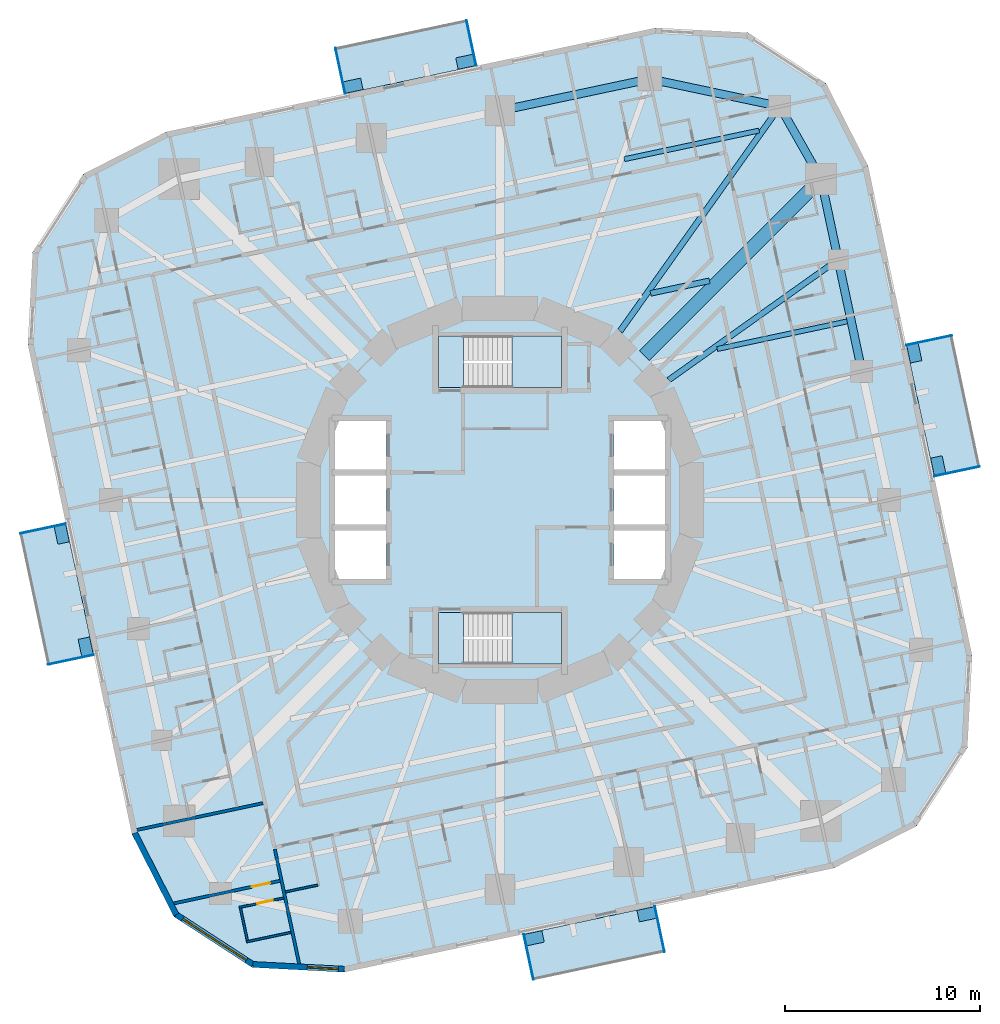
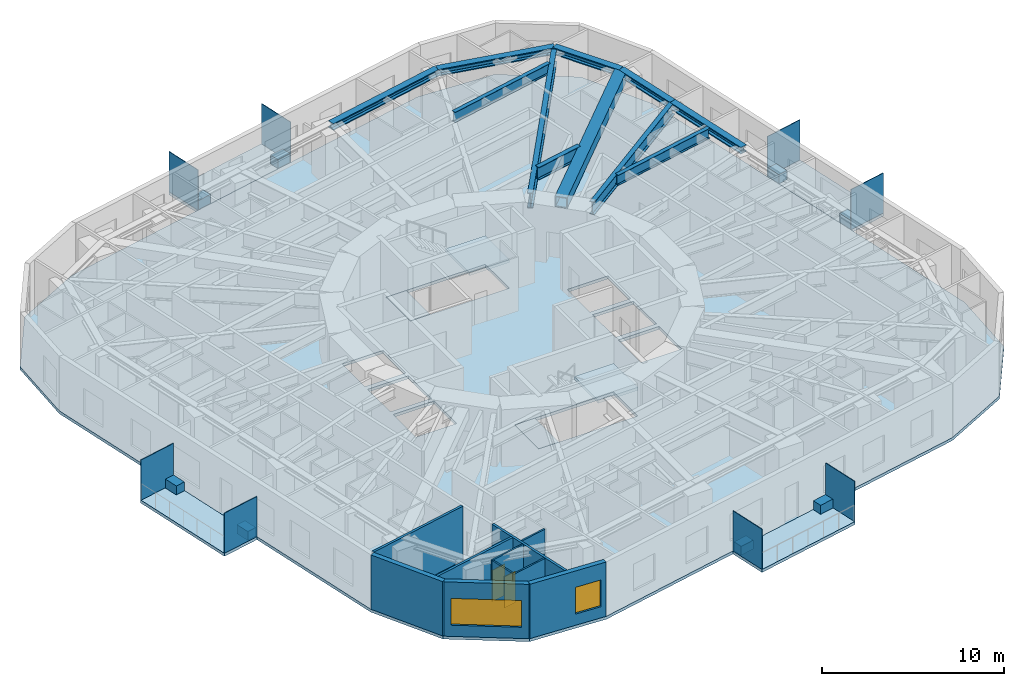
# One storey, part 3 of 13: 16 plates, 10 walls, 9 slabs, 6 members, 5 beams, 2 doors, 2 windows, 4 openings, 2 elements without a shape of their own.
"""IFC4 building model written with IfcOpenShell, lengths in metres."""

from ifc_helpers import new_model, si_unit, direction, frame, frame_2d, origin, origin_2d, place, context, subcontext, project, spatial, polyline, rectangle, hollow_rectangle, i_section, outline, extrude, material, layer, layer_set, material_profile, profile_set, type_object, element, fill, aggregate, save


model = new_model("IFC4")

# Units and contexts
model_context = context("Model", 3, precision=1e-05, world=origin(), true_north=direction((0.0, 1.0)))
body_context = subcontext(model_context, "Body", "Model", "MODEL_VIEW")
ifc_project = project(units=[si_unit("LENGTHUNIT", "METRE"), si_unit("AREAUNIT", "SQUARE_METRE"), si_unit("VOLUMEUNIT", "CUBIC_METRE"), si_unit("PLANEANGLEUNIT", "RADIAN"), si_unit("MASSUNIT", "GRAM", prefix="KILO")], contexts=[model_context])

# Site, building, storey
site_placement = place(None, origin())
site = spatial("IfcSite", under=ifc_project, at=site_placement, CompositionType="ELEMENT")
building_placement = place(site_placement, origin())
building = spatial("IfcBuilding", under=site, at=building_placement, Name="Nakasero Lantern House", CompositionType="ELEMENT")
storey_placement = place(building_placement, frame((0.0, 0.0, 131.949951171875)))
storey = spatial("IfcBuildingStorey", under=building, at=storey_placement, Name="L32", CompositionType="ELEMENT", Elevation=131.949951171875)

# Members
ifc_material_1 = material(Name="Steel S355", Category="steel")
ifc_material_profile_1 = material_profile(ifc_material_1, i_section(OverallWidth=0.41845703125, OverallDepth=0.45556640625, WebThickness=0.0419921875, FlangeThickness=0.0673828125, FilletRadius=0.01513671875, at=origin_2d()), Name="UC 356x406x551")
ifc_profile_set_1 = profile_set([ifc_material_profile_1], Name="Steel S355")
member_type_1 = type_object("IfcMemberType", Name="Belt truss chord UC 356x406x551", PredefinedType="CHORD", material=ifc_profile_set_1)
member_1_placement = place(storey_placement, frame((18.534912109375, 6.590087890625, 3.42236328125), z_axis=(-0.207902159541, 0.978149626621, 0.0), x_axis=(-0.978149626621, -0.207902159541, 0.0)))
element("IfcMember", 1, at=member_1_placement, inside=storey, type_object=member_type_1, Name="Belt truss bottom chord T3 B3-C04", PredefinedType="CHORD", context=body_context, shape_type="SweptSolid", body=[
    extrude(i_section(OverallWidth=0.41845703125, OverallDepth=0.45556640625, WebThickness=0.0419921875, FlangeThickness=0.0673828125, FilletRadius=0.01513671875, at=origin_2d()), origin(), (0.0, 0.0, 1.0), 5.852783203125),
])
member_2_placement = place(storey_placement, frame((17.318115234375, 12.31494140625, 3.42236328125), z_axis=(-0.207955665195, 0.978138252658, 0.0), x_axis=(-0.978138252658, -0.207955665195, 0.0)))
element("IfcMember", 2, at=member_2_placement, inside=storey, type_object=member_type_1, Name="Belt truss bottom chord T3 B3-C05", PredefinedType="CHORD", context=body_context, shape_type="SweptSolid", body=[
    extrude(i_section(OverallWidth=0.41845703125, OverallDepth=0.45556640625, WebThickness=0.0419921875, FlangeThickness=0.0673828125, FilletRadius=0.01513671875, at=origin_2d()), origin(), (0.0, 0.0, 1.0), 4.21826171875),
])
member_3_placement = place(storey_placement, frame((16.44091796875, 16.44091796875, 3.42236328125), z_axis=(-0.493378832737, 0.869814536213, 0.0), x_axis=(-0.869814536213, -0.493378832737, 0.0)))
element("IfcMember", 3, at=member_3_placement, inside=storey, type_object=member_type_1, Name="Belt truss bottom chord T3 B3-C06", PredefinedType="CHORD", context=body_context, shape_type="SweptSolid", body=[
    extrude(i_section(OverallWidth=0.41845703125, OverallDepth=0.45556640625, WebThickness=0.0419921875, FlangeThickness=0.0673828125, FilletRadius=0.01513671875, at=origin_2d()), origin(), (0.0, 0.0, 1.0), 4.271484375),
])
member_4_placement = place(storey_placement, frame((14.33349609375, 20.15625, 3.42236328125), z_axis=(-0.978376066473, 0.206833925052, 0.0), x_axis=(-0.206833925052, -0.978376066473, 0.0)))
element("IfcMember", 4, at=member_4_placement, inside=storey, type_object=member_type_1, Name="Belt truss bottom chord T3 B3-C07", PredefinedType="CHORD", context=body_context, shape_type="SweptSolid", body=[
    extrude(i_section(OverallWidth=0.41845703125, OverallDepth=0.45556640625, WebThickness=0.0419921875, FlangeThickness=0.0673828125, FilletRadius=0.01513671875, at=origin_2d()), origin(), (0.0, 0.0, 1.0), 6.81298828125),
])
member_5_placement = place(storey_placement, frame((7.667724609375, 21.5654296875, 3.42236328125), z_axis=(-0.978146105516, -0.207918725139, 0.0), x_axis=(0.207918725139, -0.978146105516, 0.0)))
element("IfcMember", 5, at=member_5_placement, inside=storey, type_object=member_type_1, Name="Belt truss bottom chord T3 B3-C08", PredefinedType="CHORD", context=body_context, shape_type="SweptSolid", body=[
    extrude(i_section(OverallWidth=0.41845703125, OverallDepth=0.45556640625, WebThickness=0.0419921875, FlangeThickness=0.0673828125, FilletRadius=0.01513671875, at=origin_2d()), origin(), (0.0, 0.0, 1.0), 7.839111328125),
])

# Beams
ifc_material_2 = material(Name="Steel S355", Category="steel")
ifc_material_profile_2 = material_profile(ifc_material_2, i_section(OverallWidth=0.253662109375, OverallDepth=0.68359375, WebThickness=0.012451171875, FlangeThickness=0.01904296875, FilletRadius=0.01513671875, at=origin_2d()), Name="UB 686x254x140")
ifc_profile_set_2 = profile_set([ifc_material_profile_2], Name="Steel S355")
beam_type_1 = type_object("IfcBeamType", Name="Infill beam UB 686x254x140", PredefinedType="JOIST", material=ifc_profile_set_2)
beam_1_placement = place(storey_placement, frame((11.12548828125, 7.732177734375, 3.308349609375), z_axis=(0.978151460032, 0.207893533418, 0.0), x_axis=(-0.207893533418, 0.978151460032, 0.0)))
element("IfcBeam", 6, at=beam_1_placement, inside=storey, type_object=beam_type_1, Name="Infill beam L33 09.3", PredefinedType="JOIST", context=body_context, shape_type="SweptSolid", body=[
    extrude(i_section(OverallWidth=0.253662109375, OverallDepth=0.68359375, WebThickness=0.012451171875, FlangeThickness=0.01904296875, FilletRadius=0.01513671875, at=origin_2d()), origin(), (0.0, 0.0, 1.0), 6.80078125),
])
beam_2_placement = place(storey_placement, frame((6.3671875, 17.455322265625, 3.308349609375), z_axis=(0.978150849979, 0.207896403734, 0.0), x_axis=(-0.207896403734, 0.978150849979, 0.0)))
element("IfcBeam", 7, at=beam_2_placement, inside=storey, type_object=beam_type_1, Name="Infill beam L33 12.7", PredefinedType="JOIST", context=body_context, shape_type="SweptSolid", body=[
    extrude(i_section(OverallWidth=0.253662109375, OverallDepth=0.68359375, WebThickness=0.012451171875, FlangeThickness=0.01904296875, FilletRadius=0.01513671875, at=origin_2d()), origin(), (0.0, 0.0, 1.0), 7.057861328125),
])
ifc_material_3 = material(Name="Steel S355", Category="steel")
ifc_material_profile_3 = material_profile(ifc_material_3, i_section(OverallWidth=0.29248046875, OverallDepth=0.8408203125, WebThickness=0.0146484375, FlangeThickness=0.02685546875, FilletRadius=0.017822265625, at=origin_2d()), Name="UB 838x292x194")
ifc_profile_set_3 = profile_set([ifc_material_profile_3], Name="Steel S355")
beam_type_2 = type_object("IfcBeamType", Name="Infill beam UB 838x292x194", PredefinedType="JOIST", material=ifc_profile_set_3)
beam_3_placement = place(storey_placement, frame((7.712158203125, 10.584716796875, 3.229736328125), z_axis=(0.978145985167, 0.207919291317, 0.0), x_axis=(-0.207919291317, 0.978145985167, 0.0)))
element("IfcBeam", 8, at=beam_3_placement, inside=storey, type_object=beam_type_2, Name="Infill beam L33 10.5", PredefinedType="JOIST", context=body_context, shape_type="SweptSolid", body=[
    extrude(i_section(OverallWidth=0.29248046875, OverallDepth=0.8408203125, WebThickness=0.0146484375, FlangeThickness=0.02685546875, FilletRadius=0.017822265625, at=origin_2d()), origin(), (0.0, 0.0, 1.0), 3.0869140625),
])

# Member
ifc_material_4 = material(Name="Steel S355", Category="steel")
ifc_material_profile_4 = material_profile(ifc_material_4, hollow_rectangle(XDim=0.699951171875, YDim=0.699951171875, WallThickness=0.050048828125, at=origin_2d()), Name="BOX 700x700x50")
ifc_profile_set_4 = profile_set([ifc_material_profile_4], Name="Steel S355")
member_type_2 = type_object("IfcMemberType", Name="Outrigger chord BOX 700x700x50", PredefinedType="CHORD", material=ifc_profile_set_4)
member_6_placement = place(storey_placement, frame((16.44091796875, 16.44091796875, 3.300048828125), z_axis=(-0.707106781187, -0.707106781187, 0.0), x_axis=(0.707106781187, -0.707106781187, 0.0)))
element("IfcMember", 9, at=member_6_placement, inside=storey, type_object=member_type_2, Name="Outrigger chord L33 B3-C06", PredefinedType="CHORD", context=body_context, shape_type="SweptSolid", body=[
    extrude(hollow_rectangle(XDim=0.699951171875, YDim=0.699951171875, WallThickness=0.050048828125, at=origin_2d()), origin(), (0.0, 0.0, 1.0), 12.793212890625),
])

# Beams
ifc_material_5 = material(Name="Steel S355", Category="steel")
ifc_material_profile_5 = material_profile(ifc_material_5, i_section(OverallWidth=0.302001953125, OverallDepth=1.008056640625, WebThickness=0.02099609375, FlangeThickness=0.0400390625, FilletRadius=0.030029296875, at=origin_2d()), Name="UB 1016x305x349")
ifc_profile_set_5 = profile_set([ifc_material_profile_5], Name="Steel S355")
beam_type_3 = type_object("IfcBeamType", Name="Primary beam UB 1016x305x349, span 12 to 15 m", PredefinedType="BEAM", material=ifc_profile_set_5)
beam_4_placement = place(storey_placement, frame((14.33349609375, 20.15625, 3.095947265625), z_axis=(-0.57953679421, -0.814946074386, 0.0), x_axis=(0.814946074386, -0.57953679421, 0.0)))
element("IfcBeam", 10, at=beam_4_placement, inside=storey, type_object=beam_type_3, Name="Primary beam L33 B3-C07", PredefinedType="BEAM", context=body_context, shape_type="SweptSolid", body=[
    extrude(i_section(OverallWidth=0.302001953125, OverallDepth=1.008056640625, WebThickness=0.02099609375, FlangeThickness=0.0400390625, FilletRadius=0.030029296875, at=origin_2d()), origin(), (0.0, 0.0, 1.0), 14.127197265625),
])
ifc_material_6 = material(Name="Steel S355", Category="steel")
ifc_material_profile_6 = material_profile(ifc_material_6, i_section(OverallWidth=0.29248046875, OverallDepth=0.8408203125, WebThickness=0.0146484375, FlangeThickness=0.02685546875, FilletRadius=0.017822265625, at=origin_2d()), Name="UB 838x292x194")
ifc_profile_set_6 = profile_set([ifc_material_profile_6], Name="Steel S355")
beam_type_4 = type_object("IfcBeamType", Name="Primary beam UB 838x292x194, span 9 to 12 m", PredefinedType="BEAM", material=ifc_profile_set_6)
beam_5_placement = place(storey_placement, frame((17.318115234375, 12.31494140625, 3.229736328125), z_axis=(-0.814957491022, -0.579520739774, 0.0), x_axis=(0.579520739774, -0.814957491022, 0.0)))
element("IfcBeam", 11, at=beam_5_placement, inside=storey, type_object=beam_type_4, Name="Primary beam L33 B3-C05", PredefinedType="BEAM", context=body_context, shape_type="SweptSolid", body=[
    extrude(i_section(OverallWidth=0.29248046875, OverallDepth=0.8408203125, WebThickness=0.0146484375, FlangeThickness=0.02685546875, FilletRadius=0.017822265625, at=origin_2d()), origin(), (0.0, 0.0, 1.0), 10.64453125),
])

# Plates
ifc_material_7 = material(Name="Aluminium 6063-T6", Category="aluminium")
ifc_layer_1 = layer(ifc_material_7, 0.60009765625)
ifc_layer_set_1 = layer_set([ifc_layer_1], Name="Balcony planter 600x900")
plate_type_1 = type_object("IfcPlateType", Name="Balcony planter 600x900", PredefinedType="USERDEFINED", material=ifc_layer_set_1)
for number, where, z_axis, x_axis, name in (
    (12, (22.443603515625, 1.764892578125, 0.0), (0.0, 0.0, 1.0), (0.978147600734, 0.207911690818, 0.0), "Balcony PLANTER L32 BAL0A"),
    (13, (21.220947265625, 7.516357421875, 0.0), (0.0, 0.0, 1.0), (0.978147600734, 0.207911690818, 0.0), "Balcony PLANTER L32 BAL0B"),
    (14, (-1.764892578125, 22.443603515625, 0.0), (0.0, 0.0, 1.0), (-0.207911690818, 0.978147600734, 0.0), "Balcony PLANTER L32 BAL1A"),
    (15, (-7.516357421875, 21.220947265625, 0.0), (0.0, 0.0, 1.0), (-0.207911690818, 0.978147600734, 0.0), "Balcony PLANTER L32 BAL1B"),
    (16, (-22.443603515625, -1.764892578125, 0.0), (0.0, 0.0, 1.0), (-0.978147600734, -0.207911690818, 0.0), "Balcony PLANTER L32 BAL2A"),
    (17, (-21.220947265625, -7.516357421875, 0.0), (0.0, 0.0, 1.0), (-0.978147600734, -0.207911690818, 0.0), "Balcony PLANTER L32 BAL2B"),
    (18, (1.764892578125, -22.443603515625, 0.0), (0.0, 0.0, 1.0), (0.207911690818, -0.978147600734, 0.0), "Balcony PLANTER L32 BAL3A"),
    (19, (7.516357421875, -21.220947265625, 0.0), (0.0, 0.0, 1.0), (0.207911690818, -0.978147600734, 0.0), "Balcony PLANTER L32 BAL3B"),
):
    element("IfcPlate", number, at=place(storey_placement, frame(where, z_axis=z_axis, x_axis=x_axis)), inside=storey, type_object=plate_type_1, Name=name, ObjectType="PLANTER", PredefinedType="USERDEFINED", context=body_context, shape_type="SweptSolid", body=[
        extrude(rectangle(XDim=0.60009765625, YDim=0.89990234375, at=origin_2d()), origin(), (0.0, 0.0, 1.0), 0.60009765625),
    ])
ifc_material_8 = material(Name="Aluminium 6063-T6", Category="aluminium")
ifc_layer_2 = layer(ifc_material_8, 0.0400390625)
ifc_layer_set_2 = layer_set([ifc_layer_2], Name="Balcony screen 2400x2700")
plate_type_2 = type_object("IfcPlateType", Name="Balcony screen 2400x2700", PredefinedType="SHEET", material=ifc_layer_set_2)
for number, where, z_axis, x_axis, name in (
    (20, (23.40625, 1.468505859375, 0.0), (0.0, 0.0, 1.0), (0.978147600734, 0.207911690818, 0.0), "Balcony SCREEN L32 BAL0A"),
    (21, (21.97998046875, 8.1787109375, 0.0), (0.0, 0.0, 1.0), (0.978147600734, 0.207911690818, 0.0), "Balcony SCREEN L32 BAL0B"),
    (22, (-1.468505859375, 23.40625, 0.0), (0.0, 0.0, 1.0), (-0.207911690818, 0.978147600734, 0.0), "Balcony SCREEN L32 BAL1A"),
    (23, (-8.1787109375, 21.97998046875, 0.0), (0.0, 0.0, 1.0), (-0.207911690818, 0.978147600734, 0.0), "Balcony SCREEN L32 BAL1B"),
    (24, (-23.40625, -1.468505859375, 0.0), (0.0, 0.0, 1.0), (-0.978147600734, -0.207911690818, 0.0), "Balcony SCREEN L32 BAL2A"),
    (25, (-21.97998046875, -8.1787109375, 0.0), (0.0, 0.0, 1.0), (-0.978147600734, -0.207911690818, 0.0), "Balcony SCREEN L32 BAL2B"),
    (26, (1.468505859375, -23.40625, 0.0), (0.0, 0.0, 1.0), (0.207911690818, -0.978147600734, 0.0), "Balcony SCREEN L32 BAL3A"),
    (27, (8.1787109375, -21.97998046875, 0.0), (0.0, 0.0, 1.0), (0.207911690818, -0.978147600734, 0.0), "Balcony SCREEN L32 BAL3B"),
):
    element("IfcPlate", number, at=place(storey_placement, frame(where, z_axis=z_axis, x_axis=x_axis)), inside=storey, type_object=plate_type_2, Name=name, PredefinedType="SHEET", context=body_context, shape_type="SweptSolid", body=[
        extrude(rectangle(XDim=2.39990234375, YDim=0.0400390625, at=origin_2d()), origin(), (0.0, 0.0, 1.0), 2.699951171875),
    ])

# Slabs
ifc_material_9 = material(Name="Concrete C35/45", Category="concrete")
ifc_layer_3 = layer(ifc_material_9, 0.199951171875)
ifc_layer_set_3 = layer_set([ifc_layer_3], Name="Balcony slab 200")
slab_type_1 = type_object("IfcSlabType", Name="Balcony slab 200", PredefinedType="USERDEFINED", material=ifc_layer_set_3)
slab_1_placement = place(storey_placement, frame((0.0, 0.0, -0.199951171875)))
element("IfcSlab", 28, at=slab_1_placement, inside=storey, type_object=slab_type_1, Name="Balcony L32 BAL0", ObjectType="BALCONY", PredefinedType="USERDEFINED", context=body_context, shape_type="SweptSolid", body=[
    extrude(outline(polyline([(22.236572265625, 1.199462890625), (24.583984375, 1.698486328125), (23.1494140625, 8.44775390625), (20.802001953125, 7.94873046875), (22.236572265625, 1.199462890625)])), origin(), (0.0, 0.0, 1.0), 0.199951171875),
])
slab_2_placement = place(storey_placement, frame((0.0, 0.0, -0.199951171875)))
element("IfcSlab", 29, at=slab_2_placement, inside=storey, type_object=slab_type_1, Name="Balcony L32 BAL1", ObjectType="BALCONY", PredefinedType="USERDEFINED", context=body_context, shape_type="SweptSolid", body=[
    extrude(outline(polyline([(-1.199462890625, 22.236572265625), (-1.698486328125, 24.583984375), (-8.44775390625, 23.1494140625), (-7.94873046875, 20.802001953125), (-1.199462890625, 22.236572265625)])), origin(), (0.0, 0.0, 1.0), 0.199951171875),
])
slab_3_placement = place(storey_placement, frame((0.0, 0.0, -0.199951171875)))
element("IfcSlab", 30, at=slab_3_placement, inside=storey, type_object=slab_type_1, Name="Balcony L32 BAL2", ObjectType="BALCONY", PredefinedType="USERDEFINED", context=body_context, shape_type="SweptSolid", body=[
    extrude(outline(polyline([(-22.236572265625, -1.199462890625), (-24.583984375, -1.698486328125), (-23.1494140625, -8.44775390625), (-20.802001953125, -7.94873046875), (-22.236572265625, -1.199462890625)])), origin(), (0.0, 0.0, 1.0), 0.199951171875),
])
slab_4_placement = place(storey_placement, frame((0.0, 0.0, -0.199951171875)))
element("IfcSlab", 31, at=slab_4_placement, inside=storey, type_object=slab_type_1, Name="Balcony L32 BAL3", ObjectType="BALCONY", PredefinedType="USERDEFINED", context=body_context, shape_type="SweptSolid", body=[
    extrude(outline(polyline([(1.199462890625, -22.236572265625), (1.698486328125, -24.583984375), (8.44775390625, -23.1494140625), (7.94873046875, -20.802001953125), (1.199462890625, -22.236572265625)])), origin(), (0.0, 0.0, 1.0), 0.199951171875),
])
ifc_material_10 = material(Name="Concrete C35/45", Category="concrete")
ifc_layer_4 = layer(ifc_material_10, 0.199951171875)
ifc_layer_set_4 = layer_set([ifc_layer_4], Name="Composite floor slab 200")
slab_type_2 = type_object("IfcSlabType", Name="Composite floor slab 200", PredefinedType="FLOOR", material=ifc_layer_set_4)
slab_5_placement = place(storey_placement, frame((0.0, 0.0, -0.199951171875)))
element("IfcSlab", 32, at=slab_5_placement, inside=storey, type_object=slab_type_2, Name="Floor slab L32", PredefinedType="FLOOR", context=body_context, shape_type="SweptSolid", body=[
    extrude(outline(polyline([(18.85791015625, 17.09423828125), (16.696044921875, 21.337646484375), (12.701904296875, 23.931396484375), (7.9462890625, 24.180419921875), (-17.09423828125, 18.85791015625), (-21.337646484375, 16.696044921875), (-23.931396484375, 12.701904296875), (-24.180419921875, 7.9462890625), (-18.85791015625, -17.09423828125), (-16.696044921875, -21.337646484375), (-12.701904296875, -23.931396484375), (-7.9462890625, -24.180419921875), (17.09423828125, -18.85791015625), (21.337646484375, -16.696044921875), (23.931396484375, -12.701904296875), (24.180419921875, -7.9462890625), (18.85791015625, 17.09423828125)]), holes=[polyline([(-8.449951171875, -4.050048828125), (-5.85009765625, -4.050048828125), (-5.85009765625, -1.550048828125), (-8.449951171875, -1.550048828125), (-8.449951171875, -4.050048828125)]), polyline([(-8.449951171875, -1.25), (-5.85009765625, -1.25), (-5.85009765625, 1.25), (-8.449951171875, 1.25), (-8.449951171875, -1.25)]), polyline([(-8.449951171875, 1.550048828125), (-5.85009765625, 1.550048828125), (-5.85009765625, 4.050048828125), (-8.449951171875, 4.050048828125), (-8.449951171875, 1.550048828125)]), polyline([(5.85009765625, -4.050048828125), (8.449951171875, -4.050048828125), (8.449951171875, -1.550048828125), (5.85009765625, -1.550048828125), (5.85009765625, -4.050048828125)]), polyline([(5.85009765625, -1.25), (8.449951171875, -1.25), (8.449951171875, 1.25), (5.85009765625, 1.25), (5.85009765625, -1.25)]), polyline([(5.85009765625, 1.550048828125), (8.449951171875, 1.550048828125), (8.449951171875, 4.050048828125), (5.85009765625, 4.050048828125), (5.85009765625, 1.550048828125)]), polyline([(-3.14990234375, 5.75), (3.14990234375, 5.75), (3.14990234375, 8.39990234375), (-3.14990234375, 8.39990234375), (-3.14990234375, 5.75)]), polyline([(-3.14990234375, -8.39990234375), (3.14990234375, -8.39990234375), (3.14990234375, -5.75), (-3.14990234375, -5.75), (-3.14990234375, -8.39990234375)])]), origin(), (0.0, 0.0, 1.0), 0.199951171875),
])

# Stair, slabs
ifc_material_11 = material(Name="Concrete C40/50", Category="concrete")
stair_type_1 = type_object("IfcStairType", Name="Escape stair ST1 22 risers", PredefinedType="HALF_TURN_STAIR", material=ifc_material_11)
stair_1_placement = place(storey_placement, origin())
stair_1 = element("IfcStair", 33, at=stair_1_placement, inside=storey, type_object=stair_type_1, Name="Escape stair ST1 L32", PredefinedType="HALF_TURN_STAIR")
ifc_material_12 = material(Name="Concrete C40/50", Category="concrete")
ifc_layer_5 = layer(ifc_material_12, 0.199951171875)
ifc_layer_set_5 = layer_set([ifc_layer_5], Name="Stair landing 200")
slab_type_3 = type_object("IfcSlabType", Name="Stair landing 200", PredefinedType="LANDING", material=ifc_layer_set_5)
slab_6_placement = place(storey_placement, frame((0.0, 0.0, -0.199951171875)))
slab_6 = element("IfcSlab", 34, at=slab_6_placement, type_object=slab_type_3, Name="ST1 landing 1", PredefinedType="LANDING", context=body_context, shape_type="SweptSolid", body=[
    extrude(outline(polyline([(-3.14990234375, 5.75), (-1.875, 5.75), (-1.875, 8.39990234375), (-3.14990234375, 8.39990234375), (-3.14990234375, 5.75)])), origin(), (0.0, 0.0, 1.0), 0.199951171875),
])
slab_7_placement = place(storey_placement, frame((0.0, 0.0, 1.72509765625)))
slab_7 = element("IfcSlab", 35, at=slab_7_placement, type_object=slab_type_3, Name="ST1 landing 2", PredefinedType="LANDING", context=body_context, shape_type="SweptSolid", body=[
    extrude(outline(polyline([(0.625, 5.75), (3.14990234375, 5.75), (3.14990234375, 8.39990234375), (0.625, 8.39990234375), (0.625, 5.75)])), origin(), (0.0, 0.0, 1.0), 0.199951171875),
])
aggregate(stair_1, [slab_6, slab_7])

ifc_material_13 = material(Name="Concrete C40/50", Category="concrete")
stair_type_2 = type_object("IfcStairType", Name="Escape stair ST2 22 risers", PredefinedType="HALF_TURN_STAIR", material=ifc_material_13)
stair_2_placement = place(storey_placement, origin())
stair_2 = element("IfcStair", 36, at=stair_2_placement, inside=storey, type_object=stair_type_2, Name="Escape stair ST2 L32", PredefinedType="HALF_TURN_STAIR")
slab_8_placement = place(storey_placement, frame((0.0, 0.0, -0.199951171875)))
slab_8 = element("IfcSlab", 37, at=slab_8_placement, type_object=slab_type_3, Name="ST2 landing 1", PredefinedType="LANDING", context=body_context, shape_type="SweptSolid", body=[
    extrude(outline(polyline([(-3.14990234375, -8.39990234375), (-1.875, -8.39990234375), (-1.875, -5.75), (-3.14990234375, -5.75), (-3.14990234375, -8.39990234375)])), origin(), (0.0, 0.0, 1.0), 0.199951171875),
])
slab_9_placement = place(storey_placement, frame((0.0, 0.0, 1.72509765625)))
slab_9 = element("IfcSlab", 38, at=slab_9_placement, type_object=slab_type_3, Name="ST2 landing 2", PredefinedType="LANDING", context=body_context, shape_type="SweptSolid", body=[
    extrude(outline(polyline([(0.625, -8.39990234375), (3.14990234375, -8.39990234375), (3.14990234375, -5.75), (0.625, -5.75), (0.625, -8.39990234375)])), origin(), (0.0, 0.0, 1.0), 0.199951171875),
])
aggregate(stair_2, [slab_8, slab_9])

# Wall, opening, door
ifc_material_14 = material(Name="Blockwork", Category="masonry")
ifc_layer_6 = layer(ifc_material_14, 0.10009765625)
ifc_layer_set_6 = layer_set([ifc_layer_6], Name="En-suite wall 100")
wall_type_1 = type_object("IfcWallType", Name="En-suite wall 100", PredefinedType="PARTITIONING", material=ifc_layer_set_6)
wall_1_placement = place(storey_placement, frame((-11.069091796875, -20.382568359375, 0.0), z_axis=(0.0, 0.0, 1.0), x_axis=(-0.978136257952, -0.207965047255, 0.0)))
wall_1 = element("IfcWall", 39, at=wall_1_placement, inside=storey, type_object=wall_type_1, Name="En-suite wall L32 ES2-08", PredefinedType="PARTITIONING", context=body_context, shape_type="SweptSolid", body=[
    extrude(rectangle(XDim=2.3349609375, YDim=0.10009765625, at=frame_2d((1.16748046875, 0.0))), origin(), (0.0, 0.0, 1.0), 3.650146484375),
])
opening_1_placement = place(wall_1_placement, frame((0.5849609375, 0.0, 0.0)))
opening_1 = element("IfcOpeningElement", 40, at=opening_1_placement, cuts=wall_1, Name="Opening D02", PredefinedType="OPENING", context=body_context, shape_type="SweptSolid", body=[
    extrude(rectangle(XDim=0.800048828125, YDim=2.10009765625, at=frame_2d((0.39990234375, 1.050048828125))), frame((0.0, 0.070068359375, 0.0), z_axis=(0.0, -1.0, 0.0), x_axis=(1.0, 0.0, 0.0)), (0.0, 0.0, 1.0), 0.14013671875),
])
ifc_material_15 = material(Name="Timber C24", Category="wood")
door_type_1 = type_object("IfcDoorType", Name="En-suite door 800", OperationType="SINGLE_SWING_RIGHT", PredefinedType="DOOR", material=ifc_material_15)
door_1_placement = place(opening_1_placement, origin())
door_1 = element("IfcDoor", 41, at=door_1_placement, inside=storey, type_object=door_type_1, Name="Door L32 DE2-08", OperationType="SINGLE_SWING_LEFT", OverallHeight=2.10009765625, OverallWidth=0.800048828125, PredefinedType="DOOR", context=body_context, shape_type="SweptSolid", body=[
    extrude(rectangle(XDim=0.800048828125, YDim=2.10009765625, at=frame_2d((0.39990234375, 1.050048828125))), frame((0.0, 0.02490234375, 0.0), z_axis=(0.0, -1.0, 0.0), x_axis=(1.0, 0.0, 0.0)), (0.0, 0.0, 1.0), 0.050048828125),
])
fill(opening_1, door_1)

# Walls
wall_2_placement = place(storey_placement, frame((-13.293701171875, -20.906494140625, 0.0), z_axis=(0.0, 0.0, 1.0), x_axis=(0.207812379357, -0.978168704767, 0.0)))
element("IfcWall", 42, at=wall_2_placement, inside=storey, type_object=wall_type_1, Name="En-suite wall L32 EE2-08", PredefinedType="PARTITIONING", context=body_context, shape_type="SweptSolid", body=[
    extrude(rectangle(XDim=1.699951171875, YDim=0.10009765625, at=frame_2d((0.85009765625, 0.0))), origin(), (0.0, 0.0, 1.0), 3.650146484375),
])
wall_3_placement = place(storey_placement, frame((-10.72900390625, -22.150634765625, 0.0), z_axis=(0.0, 0.0, 1.0), x_axis=(-0.978162897375, -0.207839712757, 0.0)))
element("IfcWall", 43, at=wall_3_placement, inside=storey, type_object=wall_type_1, Name="En-suite wall L32 EV2-08", PredefinedType="PARTITIONING", context=body_context, shape_type="SweptSolid", body=[
    extrude(rectangle(XDim=2.300048828125, YDim=0.10009765625, at=frame_2d((1.14990234375, 0.0))), origin(), (0.0, 0.0, 1.0), 3.650146484375),
])
wall_4_placement = place(storey_placement, frame((-10.99169921875, -20.073974609375, 0.0), z_axis=(0.0, 0.0, 1.0), x_axis=(0.97814571127, 0.207920579847, 0.0)))
element("IfcWall", 44, at=wall_4_placement, inside=storey, type_object=wall_type_1, Name="En-suite wall L32 EE3-00", PredefinedType="PARTITIONING", context=body_context, shape_type="SweptSolid", body=[
    extrude(rectangle(XDim=1.7001953125, YDim=0.10009765625, at=frame_2d((0.85009765625, 0.0))), origin(), (0.0, 0.0, 1.0), 3.650146484375),
])
ifc_material_16 = material(Name="Aluminium rainscreen on blockwork", Category="masonry")
ifc_layer_7 = layer(ifc_material_16, 0.300048828125)
ifc_layer_set_7 = layer_set([ifc_layer_7], Name="Facade wall 300")
wall_type_2 = type_object("IfcWallType", Name="Facade wall 300", PredefinedType="SOLIDWALL", material=ifc_layer_set_7)
wall_5_placement = place(storey_placement, frame((-18.711181640625, -17.063232421875, 0.0), z_axis=(0.0, 0.0, 1.0), x_axis=(0.453975745332, -0.89101404178, 0.0)))
element("IfcWall", 45, at=wall_5_placement, inside=storey, type_object=wall_type_2, Name="Facade wall L32 FW2C1", PredefinedType="SOLIDWALL", context=body_context, shape_type="SweptSolid", body=[
    extrude(rectangle(XDim=4.6845703125, YDim=0.300048828125, at=frame_2d((2.34228515625, 0.0))), origin(), (0.0, 0.0, 1.0), 3.650146484375),
])

# Wall, opening, window
wall_6_placement = place(storey_placement, frame((-16.58447265625, -21.2373046875, 0.0), z_axis=(0.0, 0.0, 1.0), x_axis=(0.838692381994, -0.544605442853, 0.0)))
wall_6 = element("IfcWall", 46, at=wall_6_placement, inside=storey, type_object=wall_type_2, Name="Facade wall L32 FW2C2", PredefinedType="SOLIDWALL", context=body_context, shape_type="SweptSolid", body=[
    extrude(rectangle(XDim=4.6845703125, YDim=0.300048828125, at=frame_2d((2.34228515625, 0.0))), origin(), (0.0, 0.0, 1.0), 3.650146484375),
])
opening_2_placement = place(wall_6_placement, frame((0.39990234375, 0.0, 0.75)))
opening_2 = element("IfcOpeningElement", 47, at=opening_2_placement, cuts=wall_6, Name="Opening W238", PredefinedType="OPENING", context=body_context, shape_type="SweptSolid", body=[
    extrude(rectangle(XDim=3.885009765625, YDim=1.800048828125, at=frame_2d((1.9423828125, 0.89990234375))), frame((0.0, 0.169921875, 0.0), z_axis=(0.0, -1.0, 0.0), x_axis=(1.0, 0.0, 0.0)), (0.0, 0.0, 1.0), 0.340087890625),
])
ifc_material_17 = material(Name="Aluminium 6063-T6 and glass", Category="aluminium")
window_type_1 = type_object("IfcWindowType", Name="Corner window 3885x1800", PartitioningType="SINGLE_PANEL", PredefinedType="WINDOW", material=ifc_material_17)
window_1_placement = place(opening_2_placement, origin())
window_1 = element("IfcWindow", 48, at=window_1_placement, inside=storey, type_object=window_type_1, Name="Window L32 WC2", OverallHeight=1.800048828125, OverallWidth=3.885009765625, PartitioningType="SINGLE_PANEL", PredefinedType="WINDOW", context=body_context, shape_type="SweptSolid", body=[
    extrude(rectangle(XDim=3.885009765625, YDim=1.800048828125, at=frame_2d((1.9423828125, 0.89990234375))), frame((0.0, 0.030029296875, 0.0), z_axis=(0.0, -1.0, 0.0), x_axis=(1.0, 0.0, 0.0)), (0.0, 0.0, 1.0), 0.06005859375),
])
fill(opening_2, window_1)

wall_7_placement = place(storey_placement, frame((-12.655517578125, -23.78857421875, 0.0), z_axis=(0.0, 0.0, 1.0), x_axis=(0.998630039879, -0.052326317, 0.0)))
wall_7 = element("IfcWall", 49, at=wall_7_placement, inside=storey, type_object=wall_type_2, Name="Facade wall L32 FW2C3", PredefinedType="SOLIDWALL", context=body_context, shape_type="SweptSolid", body=[
    extrude(rectangle(XDim=4.684326171875, YDim=0.300048828125, at=frame_2d((2.34228515625, 0.0))), origin(), (0.0, 0.0, 1.0), 3.650146484375),
])
opening_3_placement = place(wall_7_placement, frame((2.784912109375, 0.0, 0.75)))
opening_3 = element("IfcOpeningElement", 50, at=opening_3_placement, cuts=wall_7, Name="Opening W01", PredefinedType="OPENING", context=body_context, shape_type="SweptSolid", body=[
    extrude(rectangle(XDim=1.60009765625, YDim=1.800048828125, at=frame_2d((0.800048828125, 0.89990234375))), frame((0.0, 0.169921875, 0.0), z_axis=(0.0, -1.0, 0.0), x_axis=(1.0, 0.0, 0.0)), (0.0, 0.0, 1.0), 0.340087890625),
])
ifc_material_18 = material(Name="Aluminium 6063-T6 and glass", Category="aluminium")
window_type_2 = type_object("IfcWindowType", Name="Bedroom window 1600x1800", PartitioningType="SINGLE_PANEL", PredefinedType="WINDOW", material=ifc_material_18)
window_2_placement = place(opening_3_placement, origin())
window_2 = element("IfcWindow", 51, at=window_2_placement, inside=storey, type_object=window_type_2, Name="Window L32 WN3-00", OverallHeight=1.800048828125, OverallWidth=1.60009765625, PartitioningType="SINGLE_PANEL", PredefinedType="WINDOW", context=body_context, shape_type="SweptSolid", body=[
    extrude(rectangle(XDim=1.60009765625, YDim=1.800048828125, at=frame_2d((0.800048828125, 0.89990234375))), frame((0.0, 0.030029296875, 0.0), z_axis=(0.0, -1.0, 0.0), x_axis=(1.0, 0.0, 0.0)), (0.0, 0.0, 1.0), 0.06005859375),
])
fill(opening_3, window_2)

# Wall
ifc_material_19 = material(Name="Blockwork", Category="masonry")
ifc_layer_8 = layer(ifc_material_19, 0.14990234375)
ifc_layer_set_8 = layer_set([ifc_layer_8], Name="Party wall 150")
wall_type_3 = type_object("IfcWallType", Name="Party wall 150", PredefinedType="PARTITIONING", material=ifc_layer_set_8)
wall_8_placement = place(storey_placement, frame((-12.13720703125, -15.526123046875, 0.0), z_axis=(0.0, 0.0, 1.0), x_axis=(-0.978144841009, -0.207924673876, 0.0)))
element("IfcWall", 52, at=wall_8_placement, inside=storey, type_object=wall_type_3, Name="Party wall L32 PW2-08", PredefinedType="PARTITIONING", context=body_context, shape_type="SweptSolid", body=[
    extrude(rectangle(XDim=6.60009765625, YDim=0.14990234375, at=frame_2d((3.300048828125, 0.0))), origin(), (0.0, 0.0, 1.0), 3.650146484375),
])

# Wall, opening, door
wall_9_placement = place(storey_placement, frame((-11.256103515625, -19.502197265625, 0.0), z_axis=(0.0, 0.0, 1.0), x_axis=(-0.978142361087, -0.207936339891, 0.0)))
wall_9 = element("IfcWall", 53, at=wall_9_placement, inside=storey, type_object=wall_type_3, Name="Party wall L32 PC2", PredefinedType="PARTITIONING", context=body_context, shape_type="SweptSolid", body=[
    extrude(rectangle(XDim=5.570068359375, YDim=0.14990234375, at=frame_2d((2.78515625, 0.0))), origin(), (0.0, 0.0, 1.0), 3.650146484375),
])
opening_4_placement = place(wall_9_placement, frame((0.534912109375, 0.0, 0.0)))
opening_4 = element("IfcOpeningElement", 54, at=opening_4_placement, cuts=wall_9, Name="Opening D01", PredefinedType="OPENING", context=body_context, shape_type="SweptSolid", body=[
    extrude(rectangle(XDim=0.949951171875, YDim=2.10009765625, at=frame_2d((0.47509765625, 1.050048828125))), frame((0.0, 0.094970703125, 0.0), z_axis=(0.0, -1.0, 0.0), x_axis=(1.0, 0.0, 0.0)), (0.0, 0.0, 1.0), 0.18994140625),
])
ifc_material_20 = material(Name="Timber C24", Category="wood")
door_type_2 = type_object("IfcDoorType", Name="Bedroom door FD30S 950", OperationType="SINGLE_SWING_LEFT", PredefinedType="DOOR", material=ifc_material_20)
door_2_placement = place(opening_4_placement, origin())
door_2 = element("IfcDoor", 55, at=door_2_placement, inside=storey, type_object=door_type_2, Name="Door L32 DC2", OperationType="SINGLE_SWING_LEFT", OverallHeight=2.10009765625, OverallWidth=0.949951171875, PredefinedType="DOOR", context=body_context, shape_type="SweptSolid", body=[
    extrude(rectangle(XDim=0.949951171875, YDim=2.10009765625, at=frame_2d((0.47509765625, 1.050048828125))), frame((0.0, 0.02490234375, 0.0), z_axis=(0.0, -1.0, 0.0), x_axis=(1.0, 0.0, 0.0)), (0.0, 0.0, 1.0), 0.050048828125),
])
fill(opening_4, door_2)

# Wall
wall_10_placement = place(storey_placement, frame((-11.53271484375, -17.888671875, 0.0), z_axis=(0.0, 0.0, 1.0), x_axis=(0.207886494942, -0.978152955943, 0.0)))
element("IfcWall", 56, at=wall_10_placement, inside=storey, type_object=wall_type_3, Name="Party wall L32 PW3-00", PredefinedType="PARTITIONING", context=body_context, shape_type="SweptSolid", body=[
    extrude(rectangle(XDim=6.0, YDim=0.14990234375, at=frame_2d((3.0, 0.0))), origin(), (0.0, 0.0, 1.0), 3.650146484375),
])

save(model, "model.ifc")
